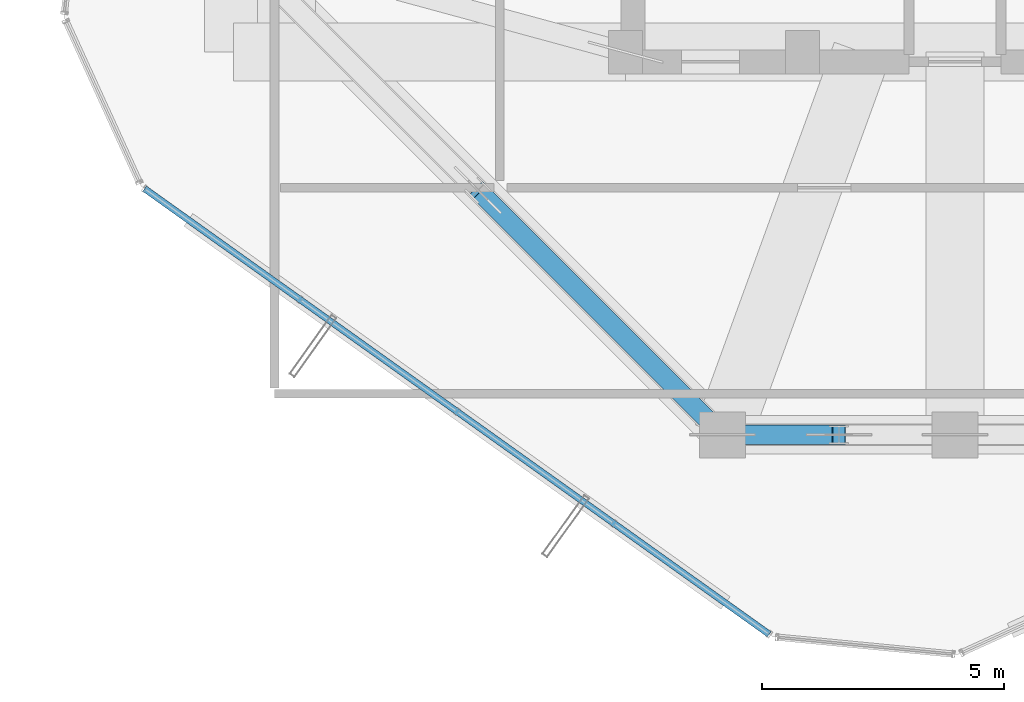
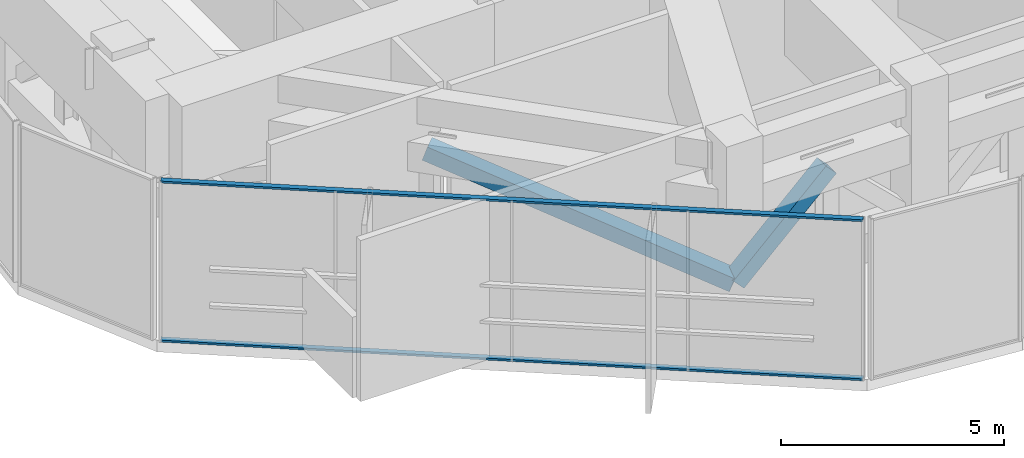
# One storey, part 3 of 31: 4 members, 1 element without a shape of its own.
"""IFC4 building model written with IfcOpenShell, lengths in metres."""

from ifc_helpers import new_model, si_unit, direction, frame, origin, origin_2d, place, context, subcontext, project, spatial, hollow_rectangle, extrude, source, transform, mapped, material, layer, layer_set, material_profile, profile_set, type_object, element, aggregate, save


model = new_model("IFC4")

# Units and contexts
model_context = context("Model", 3, precision=1e-05, world=origin(), true_north=direction((0.0, 1.0)))
body_context = subcontext(model_context, "Body", "Model", "MODEL_VIEW")
ifc_project = project(units=[si_unit("LENGTHUNIT", "METRE"), si_unit("AREAUNIT", "SQUARE_METRE"), si_unit("VOLUMEUNIT", "CUBIC_METRE"), si_unit("PLANEANGLEUNIT", "RADIAN"), si_unit("MASSUNIT", "GRAM", prefix="KILO")], contexts=[model_context])

# Site, building, storey
site_placement = place(None, origin())
site = spatial("IfcSite", under=ifc_project, at=site_placement, CompositionType="ELEMENT")
building_placement = place(site_placement, origin())
building = spatial("IfcBuilding", under=site, at=building_placement, Name="Veraguas Prism Commons", CompositionType="ELEMENT")
storey_placement = place(building_placement, frame((0.0, 0.0, 225.39990234375)))
storey = spatial("IfcBuildingStorey", under=building, at=storey_placement, Name="L64", CompositionType="ELEMENT", Elevation=225.39990234375)

# Members
ifc_material_1 = material(Name="Steel ASTM A500 Grade C", Category="steel")
ifc_material_profile_1 = material_profile(ifc_material_1, hollow_rectangle(XDim=0.39990234375, YDim=0.39990234375, WallThickness=0.02001953125, at=origin_2d()), Name="HSS400X400X20")
ifc_profile_set_1 = profile_set([ifc_material_profile_1], Name="Steel ASTM A500 Grade C")
member_type_1 = type_object("IfcMemberType", Name="Wind Portal V-Brace HSS 400x400x20", PredefinedType="BRACE", material=ifc_profile_set_1)
member_1_placement = place(storey_placement, frame((19.199951171875, 9.10009765625, 0.550048828125), z_axis=(-0.672667665819, 0.672635146231, 0.308350727933), x_axis=(-0.707089688307, -0.707123873653, 0.0)))
element("IfcMember", 1, at=member_1_placement, inside=storey, type_object=member_type_1, Name="Perimeter Belt Truss Brace L64-09B", PredefinedType="BRACE", context=body_context, shape_type="SweptSolid", body=[
    extrude(hollow_rectangle(XDim=0.39990234375, YDim=0.39990234375, WallThickness=0.02001953125, at=origin_2d()), origin(), (0.0, 0.0, 1.0), 7.507568359375),
])
member_2_placement = place(storey_placement, frame((19.199951171875, 9.10009765625, 0.550048828125), z_axis=(0.719767205746, 0.0, 0.694215506549), x_axis=(0.0, 1.0, 0.0)))
element("IfcMember", 2, at=member_2_placement, inside=storey, type_object=member_type_1, Name="Perimeter Belt Truss Brace L64-10A", PredefinedType="BRACE", context=body_context, shape_type="SweptSolid", body=[
    extrude(hollow_rectangle(XDim=0.39990234375, YDim=0.39990234375, WallThickness=0.02001953125, at=origin_2d()), origin(), (0.0, 0.0, 1.0), 3.334716796875),
])

# Curtain wall, members
ifc_material_2 = material(Name="Anodised aluminium EN AW-6063 T6", Category="aluminium")
ifc_layer = layer(ifc_material_2, 0.14990234375, Name="Unitised Flush Curtain Wall Zone 3", Category="aluminium")
ifc_layer_set = layer_set([ifc_layer], Name="Anodised aluminium EN AW-6063 T6")
curtain_wall_type = type_object("IfcCurtainWallType", Name="Unitised Flush Curtain Wall Zone 3", PredefinedType="NOTDEFINED", material=ifc_layer_set)
curtain_wall_placement = place(storey_placement, origin())
curtain_wall = element("IfcCurtainWall", 3, at=curtain_wall_placement, inside=storey, type_object=curtain_wall_type, Name="Tower Facade Curtain Wall L64-F4", PredefinedType="NOTDEFINED")
ifc_material_profile_2 = material_profile(ifc_material_2, hollow_rectangle(XDim=0.054931640625, YDim=0.135009765625, WallThickness=0.0029296875, at=origin_2d()), Name="AL55X135X3")
ifc_profile_set_2 = profile_set([ifc_material_profile_2], Name="Anodised aluminium EN AW-6063 T6")
member_type_2 = type_object("IfcMemberType", Name="Curtain Wall Transom Standard AL 55x135x3", PredefinedType="USERDEFINED", material=ifc_profile_set_2)
shared_shape = source(origin(), body_context, "Body", "SweptSolid", [
    extrude(hollow_rectangle(XDim=0.054931640625, YDim=0.135009765625, WallThickness=0.0029296875, at=origin_2d()), origin(), (0.0, 0.0, 1.0), 15.8427734375),
])
member_3_placement = place(storey_placement, frame((7.266845703125, 14.181884765625, 0.027587890625), z_axis=(0.814112309018, -0.58070745501, 0.0), x_axis=(0.0, 0.0, 1.0)))
member_3 = element("IfcMember", 4, at=member_3_placement, type_object=member_type_2, Name="CW-Z3 Transom 1", ObjectType="TRANSOM", PredefinedType="USERDEFINED", context=body_context, shape_type="MappedRepresentation", body=[
    mapped(shared_shape, transform((0.0, 0.0, 0.0), scale=1.0)),
])
member_4_placement = place(storey_placement, frame((7.266845703125, 14.181884765625, 4.3876953125), z_axis=(0.814112309018, -0.58070745501, 0.0), x_axis=(0.0, 0.0, 1.0)))
member_4 = element("IfcMember", 5, at=member_4_placement, type_object=member_type_2, Name="CW-Z3 Transom 2", ObjectType="TRANSOM", PredefinedType="USERDEFINED", context=body_context, shape_type="MappedRepresentation", body=[
    mapped(shared_shape, transform((0.0, 0.0, 0.0), scale=1.0)),
])
aggregate(curtain_wall, [member_3, member_4])

save(model, "model.ifc")
